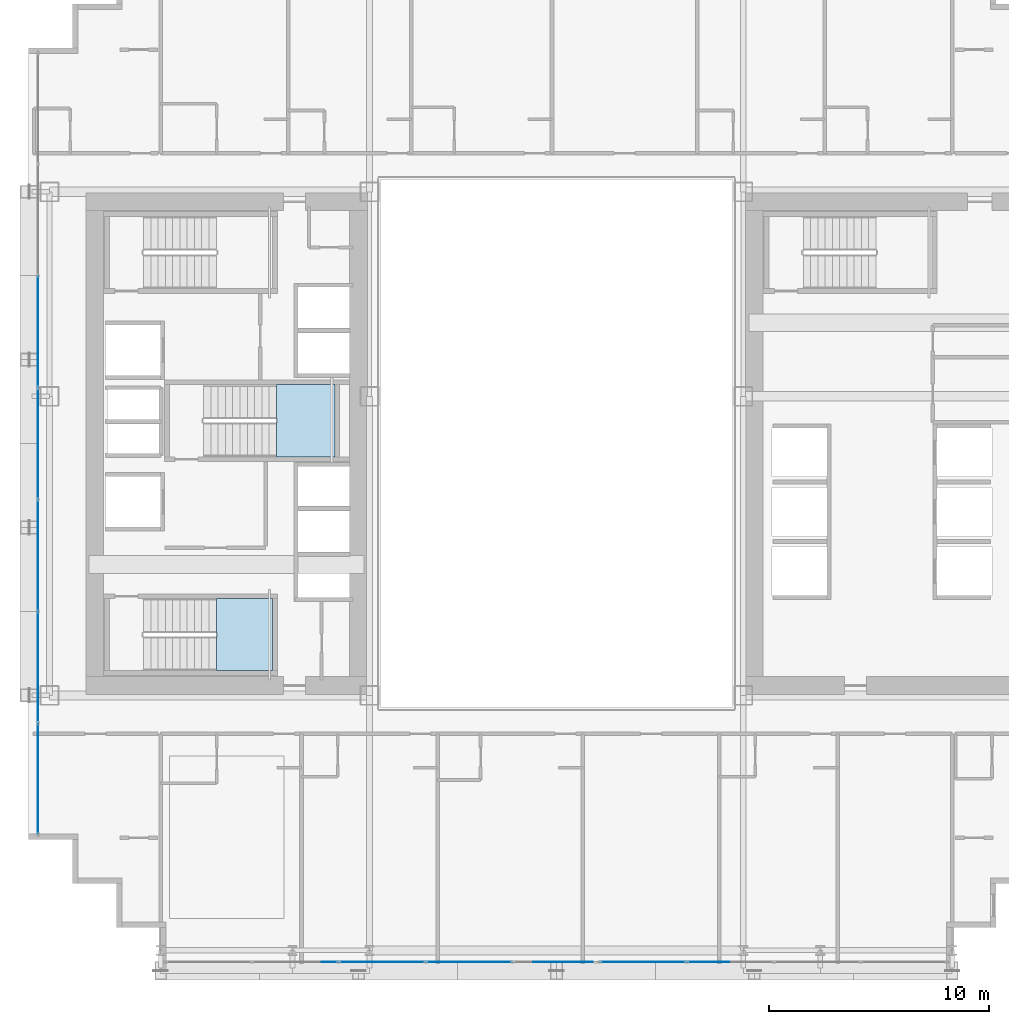
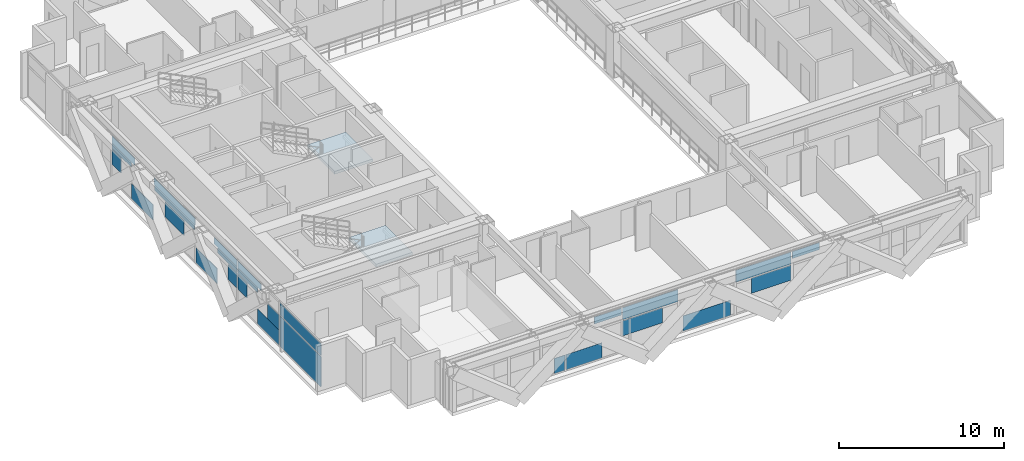
# One storey, part 24 of 38: 27 plates, 2 slabs, 4 elements without a shape of their own.
"""IFC4 building model written with IfcOpenShell, lengths in metres."""

from ifc_helpers import new_model, si_unit, direction, frame, origin, origin_2d, place, context, subcontext, project, spatial, polyline, rectangle, outline, extrude, source, transform, mapped, material, layer, layer_set, type_object, element, aggregate, save


model = new_model("IFC4")

# Units and contexts
model_context = context("Model", 3, precision=1e-05, world=origin(), true_north=direction((0.0, 1.0)))
body_context = subcontext(model_context, "Body", "Model", "MODEL_VIEW")
ifc_project = project(units=[si_unit("LENGTHUNIT", "METRE"), si_unit("AREAUNIT", "SQUARE_METRE"), si_unit("VOLUMEUNIT", "CUBIC_METRE"), si_unit("PLANEANGLEUNIT", "RADIAN"), si_unit("MASSUNIT", "GRAM", prefix="KILO")], contexts=[model_context])

# Site, building, storey
site_placement = place(None, origin())
site = spatial("IfcSite", under=ifc_project, at=site_placement, CompositionType="ELEMENT")
building_placement = place(site_placement, origin())
building = spatial("IfcBuilding", under=site, at=building_placement, Name="Ocotamira Hotel", CompositionType="ELEMENT")
storey_placement = place(building_placement, frame((0.0, 0.0, 45.60009765625)))
storey = spatial("IfcBuildingStorey", under=building, at=storey_placement, Name="L10", CompositionType="ELEMENT", Elevation=45.60009765625)

# Stair, slab
ifc_material_1 = material(Name="Concrete C40/50", Category="concrete")
stair_type = type_object("IfcStairType", Name="ST-CORE-1560", PredefinedType="HALF_TURN_STAIR", material=ifc_material_1)
stair_1_placement = place(storey_placement, origin())
stair_1 = element("IfcStair", 1, at=stair_1_placement, inside=storey, type_object=stair_type, Name="L10 Exit Stair ST-1", PredefinedType="HALF_TURN_STAIR")
ifc_layer_1 = layer(ifc_material_1, 0.199951171875)
ifc_layer_set_1 = layer_set([ifc_layer_1], Name="Concrete C40/50")
slab_type = type_object("IfcSlabType", Name="SLB-LAND-200", PredefinedType="LANDING", material=ifc_layer_set_1)
slab_1_placement = place(storey_placement, frame((0.0, 0.0, 1.599853515625)))
slab_1 = element("IfcSlab", 2, at=slab_1_placement, type_object=slab_type, Name="ST-1 landing 1", PredefinedType="LANDING", context=body_context, shape_type="SweptSolid", body=[
    extrude(outline(polyline([(16.530029296875, 15.669921875), (19.090087890625, 15.669921875), (19.090087890625, 18.949951171875), (16.530029296875, 18.949951171875), (16.530029296875, 15.669921875)])), origin(), (0.0, 0.0, 1.0), 0.199951171875),
])
aggregate(stair_1, [slab_1])

stair_2_placement = place(storey_placement, origin())
stair_2 = element("IfcStair", 3, at=stair_2_placement, inside=storey, type_object=stair_type, Name="L10 Exit Stair ST-3", PredefinedType="HALF_TURN_STAIR")
slab_2_placement = place(storey_placement, frame((0.0, 0.0, 1.599853515625)))
slab_2 = element("IfcSlab", 4, at=slab_2_placement, type_object=slab_type, Name="ST-3 landing 1", PredefinedType="LANDING", context=body_context, shape_type="SweptSolid", body=[
    extrude(outline(polyline([(19.260009765625, 25.39990234375), (21.919921875, 25.39990234375), (21.919921875, 28.679931640625), (19.260009765625, 28.679931640625), (19.260009765625, 25.39990234375)])), origin(), (0.0, 0.0, 1.0), 0.199951171875),
])
aggregate(stair_2, [slab_2])

# Curtain wall, plates
ifc_material_2 = material(Name="Anodised pale-metal aluminium and solar glass", Category="aluminium")
ifc_layer_2 = layer(ifc_material_2, 0.179931640625)
ifc_layer_set_2 = layer_set([ifc_layer_2], Name="Anodised pale-metal aluminium and solar glass")
curtain_wall_type = type_object("IfcCurtainWallType", Name="CW-SYS2-Z1", PredefinedType="NOTDEFINED", material=ifc_layer_set_2)
curtain_wall_1_placement = place(storey_placement, origin())
curtain_wall_1 = element("IfcCurtainWall", 5, at=curtain_wall_1_placement, inside=storey, type_object=curtain_wall_type, Name="L10 Curtain Wall CW-2 CW-L10-S1", PredefinedType="NOTDEFINED")
ifc_material_3 = material(Name="Double-silver low-E insulated solar glass", Category="glass")
ifc_layer_3 = layer(ifc_material_3, 0.031982421875)
ifc_layer_set_3 = layer_set([ifc_layer_3], Name="Double-silver low-E insulated solar glass")
plate_type = type_object("IfcPlateType", Name="CWP-VISION-32", PredefinedType="CURTAIN_PANEL", material=ifc_layer_set_3)
shared_shape_1 = source(origin(), body_context, "Body", "SweptSolid", [
    extrude(rectangle(XDim=3.87548828125, YDim=0.031982421875, at=origin_2d()), origin(), (0.0, 0.0, 1.0), 0.887451171875),
])
plate_1_placement = place(storey_placement, frame((28.04443359375, 2.419921875, 2.38720703125), z_axis=(0.0, 0.0, 1.0), x_axis=(1.0, 0.0, 0.0)))
plate_1 = element("IfcPlate", 6, at=plate_1_placement, type_object=plate_type, Name="CW-2 panel 4.2", PredefinedType="CURTAIN_PANEL", context=body_context, shape_type="MappedRepresentation", body=[
    mapped(shared_shape_1, transform((0.0, 0.0, 0.0), scale=1.0)),
])
plate_2_placement = place(storey_placement, frame((35.95556640625, 2.419921875, 2.38720703125), z_axis=(0.0, 0.0, 1.0), x_axis=(1.0, 0.0, 0.0)))
plate_2 = element("IfcPlate", 7, at=plate_2_placement, type_object=plate_type, Name="CW-2 panel 6.2", PredefinedType="CURTAIN_PANEL", context=body_context, shape_type="MappedRepresentation", body=[
    mapped(shared_shape_1, transform((0.0, 0.0, 0.0), scale=1.0)),
])

curtain_wall_2_placement = place(storey_placement, origin())
curtain_wall_2 = element("IfcCurtainWall", 8, at=curtain_wall_2_placement, inside=storey, type_object=curtain_wall_type, Name="L10 Curtain Wall CW-2 CW-L10-W", PredefinedType="NOTDEFINED")
shared_shape_2 = source(origin(), body_context, "Body", "SweptSolid", [
    extrude(rectangle(XDim=4.9658203125, YDim=0.031982421875, at=origin_2d()), origin(), (0.0, 0.0, 1.0), 2.237548828125),
])
plate_3_placement = place(storey_placement, frame((8.419921875, 10.762939453125, 0.07470703125), z_axis=(0.0, 0.0, 1.0), x_axis=(0.0, 1.0, 0.0)))
plate_3 = element("IfcPlate", 9, at=plate_3_placement, type_object=plate_type, Name="CW-2 panel 1.1", PredefinedType="CURTAIN_PANEL", context=body_context, shape_type="MappedRepresentation", body=[
    mapped(shared_shape_2, transform((0.0, 0.0, 0.0), scale=1.0)),
])
shared_shape_3 = source(origin(), body_context, "Body", "SweptSolid", [
    extrude(rectangle(XDim=4.9658203125, YDim=0.031982421875, at=origin_2d()), origin(), (0.0, 0.0, 1.0), 0.887451171875),
])
plate_4_placement = place(storey_placement, frame((8.419921875, 10.762939453125, 2.38720703125), z_axis=(0.0, 0.0, 1.0), x_axis=(0.0, 1.0, 0.0)))
plate_4 = element("IfcPlate", 10, at=plate_4_placement, type_object=plate_type, Name="CW-2 panel 1.2", PredefinedType="CURTAIN_PANEL", context=body_context, shape_type="MappedRepresentation", body=[
    mapped(shared_shape_3, transform((0.0, 0.0, 0.0), scale=1.0)),
])
shared_shape_4 = source(origin(), body_context, "Body", "SweptSolid", [
    extrude(rectangle(XDim=2.27978515625, YDim=0.031982421875, at=origin_2d()), origin(), (0.0, 0.0, 1.0), 1.11865234375),
])
plate_5_placement = place(storey_placement, frame((8.419921875, 26.0, 1.193603515625), z_axis=(0.0, 0.0, 1.0), x_axis=(0.0, 1.0, 0.0)))
plate_5 = element("IfcPlate", 11, at=plate_5_placement, type_object=plate_type, Name="CW-2 panel 4.1.1", PredefinedType="CURTAIN_PANEL", context=body_context, shape_type="MappedRepresentation", body=[
    mapped(shared_shape_4, transform((0.0, 0.0, 0.0), scale=1.0)),
])

# Plate
shared_shape_5 = source(origin(), body_context, "Body", "SweptSolid", [
    extrude(rectangle(XDim=1.88671875, YDim=0.031982421875, at=origin_2d()), origin(), (0.0, 0.0, 1.0), 0.5107421875),
])
plate_6_placement = place(storey_placement, frame((25.08349609375, 2.419921875, 2.76416015625), z_axis=(0.0, 0.0, 1.0), x_axis=(1.0, 0.0, 0.0)))
plate_6 = element("IfcPlate", 12, at=plate_6_placement, type_object=plate_type, Name="CW-2 panel 3.2.1", PredefinedType="CURTAIN_PANEL", context=body_context, shape_type="MappedRepresentation", body=[
    mapped(shared_shape_5, transform((0.0, 0.0, 0.0), scale=1.0)),
])

plate_7_placement = place(storey_placement, frame((38.91650390625, 2.419921875, 2.76416015625), z_axis=(0.0, 0.0, 1.0), x_axis=(1.0, 0.0, 0.0)))
plate_7 = element("IfcPlate", 13, at=plate_7_placement, type_object=plate_type, Name="CW-2 panel 7.2.1", PredefinedType="CURTAIN_PANEL", context=body_context, shape_type="MappedRepresentation", body=[
    mapped(shared_shape_5, transform((0.0, 0.0, 0.0), scale=1.0)),
])

shared_shape_6 = source(origin(), body_context, "Body", "SweptSolid", [
    extrude(rectangle(XDim=2.790283203125, YDim=0.031982421875, at=origin_2d()), origin(), (0.0, 0.0, 1.0), 1.11865234375),
])
plate_8_placement = place(storey_placement, frame((27.501708984375, 2.419921875, 1.193603515625), z_axis=(0.0, 0.0, 1.0), x_axis=(1.0, 0.0, 0.0)))
plate_8 = element("IfcPlate", 14, at=plate_8_placement, type_object=plate_type, Name="CW-2 panel 4.1.1", PredefinedType="CURTAIN_PANEL", context=body_context, shape_type="MappedRepresentation", body=[
    mapped(shared_shape_6, transform((0.0, 0.0, 0.0), scale=1.0)),
])

plate_9_placement = place(storey_placement, frame((36.498291015625, 2.419921875, 1.193603515625), z_axis=(0.0, 0.0, 1.0), x_axis=(1.0, 0.0, 0.0)))
plate_9 = element("IfcPlate", 15, at=plate_9_placement, type_object=plate_type, Name="CW-2 panel 6.1.1", PredefinedType="CURTAIN_PANEL", context=body_context, shape_type="MappedRepresentation", body=[
    mapped(shared_shape_6, transform((0.0, 0.0, 0.0), scale=1.0)),
])

shared_shape_7 = source(origin(), body_context, "Body", "SweptSolid", [
    extrude(rectangle(XDim=1.4033203125, YDim=0.031982421875, at=origin_2d()), origin(), (0.0, 0.0, 1.0), 1.11865234375),
])
plate_10_placement = place(storey_placement, frame((8.419921875, 14.02734375, 1.193603515625), z_axis=(0.0, 0.0, 1.0), x_axis=(0.0, 1.0, 0.0)))
plate_10 = element("IfcPlate", 16, at=plate_10_placement, type_object=plate_type, Name="CW-2 panel 2.1.2", PredefinedType="CURTAIN_PANEL", context=body_context, shape_type="MappedRepresentation", body=[
    mapped(shared_shape_7, transform((0.0, 0.0, 0.0), scale=1.0)),
])

shared_shape_8 = source(origin(), body_context, "Body", "SweptSolid", [
    extrude(rectangle(XDim=1.104736328125, YDim=0.031982421875, at=origin_2d()), origin(), (0.0, 0.0, 1.0), 1.11865234375),
])
plate_11_placement = place(storey_placement, frame((8.419921875, 17.779052734375, 1.193603515625), z_axis=(0.0, 0.0, 1.0), x_axis=(0.0, 1.0, 0.0)))
plate_11 = element("IfcPlate", 17, at=plate_11_placement, type_object=plate_type, Name="CW-2 panel 2.1.3", PredefinedType="CURTAIN_PANEL", context=body_context, shape_type="MappedRepresentation", body=[
    mapped(shared_shape_8, transform((0.0, 0.0, 0.0), scale=1.0)),
])

shared_shape_9 = source(origin(), body_context, "Body", "SweptSolid", [
    extrude(rectangle(XDim=2.796630859375, YDim=0.031982421875, at=origin_2d()), origin(), (0.0, 0.0, 1.0), 0.485107421875),
])
plate_12_placement = place(storey_placement, frame((8.419921875, 16.93310546875, 2.78955078125), z_axis=(0.0, 0.0, 1.0), x_axis=(0.0, 1.0, 0.0)))
plate_12 = element("IfcPlate", 18, at=plate_12_placement, type_object=plate_type, Name="CW-2 panel 2.2.1", PredefinedType="CURTAIN_PANEL", context=body_context, shape_type="MappedRepresentation", body=[
    mapped(shared_shape_9, transform((0.0, 0.0, 0.0), scale=1.0)),
])

shared_shape_10 = source(origin(), body_context, "Body", "SweptSolid", [
    extrude(rectangle(XDim=2.3701171875, YDim=0.031982421875, at=origin_2d()), origin(), (0.0, 0.0, 1.0), 0.367919921875),
])
plate_13_placement = place(storey_placement, frame((8.419921875, 17.146240234375, 2.38720703125), z_axis=(0.0, 0.0, 1.0), x_axis=(0.0, 1.0, 0.0)))
plate_13 = element("IfcPlate", 19, at=plate_13_placement, type_object=plate_type, Name="CW-2 panel 2.2.2", PredefinedType="CURTAIN_PANEL", context=body_context, shape_type="MappedRepresentation", body=[
    mapped(shared_shape_10, transform((0.0, 0.0, 0.0), scale=1.0)),
])

shared_shape_11 = source(origin(), body_context, "Body", "SweptSolid", [
    extrude(rectangle(XDim=1.094970703125, YDim=0.031982421875, at=origin_2d()), origin(), (0.0, 0.0, 1.0), 1.11865234375),
])
plate_14_placement = place(storey_placement, frame((8.419921875, 18.958984375, 1.193603515625), z_axis=(0.0, 0.0, 1.0), x_axis=(0.0, 1.0, 0.0)))
plate_14 = element("IfcPlate", 20, at=plate_14_placement, type_object=plate_type, Name="CW-2 panel 3.1.1", PredefinedType="CURTAIN_PANEL", context=body_context, shape_type="MappedRepresentation", body=[
    mapped(shared_shape_11, transform((0.0, 0.0, 0.0), scale=1.0)),
])

plate_15_placement = place(storey_placement, frame((8.419921875, 33.041015625, 1.193603515625), z_axis=(0.0, 0.0, 1.0), x_axis=(0.0, 1.0, 0.0)))
plate_15 = element("IfcPlate", 21, at=plate_15_placement, type_object=plate_type, Name="CW-2 panel 5.1.2", PredefinedType="CURTAIN_PANEL", context=body_context, shape_type="MappedRepresentation", body=[
    mapped(shared_shape_11, transform((0.0, 0.0, 0.0), scale=1.0)),
])

shared_shape_12 = source(origin(), body_context, "Body", "SweptSolid", [
    extrude(rectangle(XDim=2.360595703125, YDim=0.031982421875, at=origin_2d()), origin(), (0.0, 0.0, 1.0), 0.367919921875),
])
plate_16_placement = place(storey_placement, frame((8.419921875, 19.591796875, 2.38720703125), z_axis=(0.0, 0.0, 1.0), x_axis=(0.0, 1.0, 0.0)))
plate_16 = element("IfcPlate", 22, at=plate_16_placement, type_object=plate_type, Name="CW-2 panel 3.2.1", PredefinedType="CURTAIN_PANEL", context=body_context, shape_type="MappedRepresentation", body=[
    mapped(shared_shape_12, transform((0.0, 0.0, 0.0), scale=1.0)),
])

plate_17_placement = place(storey_placement, frame((8.419921875, 32.408203125, 2.38720703125), z_axis=(0.0, 0.0, 1.0), x_axis=(0.0, 1.0, 0.0)))
plate_17 = element("IfcPlate", 23, at=plate_17_placement, type_object=plate_type, Name="CW-2 panel 5.2.2", PredefinedType="CURTAIN_PANEL", context=body_context, shape_type="MappedRepresentation", body=[
    mapped(shared_shape_12, transform((0.0, 0.0, 0.0), scale=1.0)),
])

shared_shape_13 = source(origin(), body_context, "Body", "SweptSolid", [
    extrude(rectangle(XDim=2.787109375, YDim=0.031982421875, at=origin_2d()), origin(), (0.0, 0.0, 1.0), 0.485107421875),
])
plate_18_placement = place(storey_placement, frame((8.419921875, 19.804931640625, 2.78955078125), z_axis=(0.0, 0.0, 1.0), x_axis=(0.0, 1.0, 0.0)))
plate_18 = element("IfcPlate", 24, at=plate_18_placement, type_object=plate_type, Name="CW-2 panel 3.2.2", PredefinedType="CURTAIN_PANEL", context=body_context, shape_type="MappedRepresentation", body=[
    mapped(shared_shape_13, transform((0.0, 0.0, 0.0), scale=1.0)),
])

plate_19_placement = place(storey_placement, frame((8.419921875, 32.195068359375, 2.78955078125), z_axis=(0.0, 0.0, 1.0), x_axis=(0.0, 1.0, 0.0)))
plate_19 = element("IfcPlate", 25, at=plate_19_placement, type_object=plate_type, Name="CW-2 panel 5.2.1", PredefinedType="CURTAIN_PANEL", context=body_context, shape_type="MappedRepresentation", body=[
    mapped(shared_shape_13, transform((0.0, 0.0, 0.0), scale=1.0)),
])

shared_shape_14 = source(origin(), body_context, "Body", "SweptSolid", [
    extrude(rectangle(XDim=5.005615234375, YDim=0.031982421875, at=origin_2d()), origin(), (0.0, 0.0, 1.0), 0.485107421875),
])
plate_20_placement = place(storey_placement, frame((8.419921875, 26.0, 2.78955078125), z_axis=(0.0, 0.0, 1.0), x_axis=(0.0, 1.0, 0.0)))
plate_20 = element("IfcPlate", 26, at=plate_20_placement, type_object=plate_type, Name="CW-2 panel 4.2.1", PredefinedType="CURTAIN_PANEL", context=body_context, shape_type="MappedRepresentation", body=[
    mapped(shared_shape_14, transform((0.0, 0.0, 0.0), scale=1.0)),
])

shared_shape_15 = source(origin(), body_context, "Body", "SweptSolid", [
    extrude(rectangle(XDim=4.81103515625, YDim=0.031982421875, at=origin_2d()), origin(), (0.0, 0.0, 1.0), 0.40234375),
])
plate_21_placement = place(storey_placement, frame((8.419921875, 26.0, 2.387451171875), z_axis=(0.0, 0.0, 1.0), x_axis=(0.0, 1.0, 0.0)))
plate_21 = element("IfcPlate", 27, at=plate_21_placement, type_object=plate_type, Name="CW-2 panel 4.2.2", PredefinedType="CURTAIN_PANEL", context=body_context, shape_type="MappedRepresentation", body=[
    mapped(shared_shape_15, transform((0.0, 0.0, 0.0), scale=1.0)),
])

shared_shape_16 = source(origin(), body_context, "Body", "SweptSolid", [
    extrude(rectangle(XDim=0.733642578125, YDim=0.031982421875, at=origin_2d()), origin(), (0.0, 0.0, 1.0), 1.118896484375),
])
plate_22_placement = place(storey_placement, frame((21.704345703125, 2.419921875, 0.07470703125), z_axis=(0.0, 0.0, 1.0), x_axis=(1.0, 0.0, 0.0)))
plate_22 = element("IfcPlate", 28, at=plate_22_placement, type_object=plate_type, Name="CW-2 panel 2.1.2", PredefinedType="CURTAIN_PANEL", context=body_context, shape_type="MappedRepresentation", body=[
    mapped(shared_shape_16, transform((0.0, 0.0, 0.0), scale=1.0)),
])

shared_shape_17 = source(origin(), body_context, "Body", "SweptSolid", [
    extrude(rectangle(XDim=2.51123046875, YDim=0.031982421875, at=origin_2d()), origin(), (0.0, 0.0, 1.0), 1.118896484375),
])
plate_23_placement = place(storey_placement, frame((23.40673828125, 2.419921875, 0.07470703125), z_axis=(0.0, 0.0, 1.0), x_axis=(1.0, 0.0, 0.0)))
plate_23 = element("IfcPlate", 29, at=plate_23_placement, type_object=plate_type, Name="CW-2 panel 3.1.1", PredefinedType="CURTAIN_PANEL", context=body_context, shape_type="MappedRepresentation", body=[
    mapped(shared_shape_17, transform((0.0, 0.0, 0.0), scale=1.0)),
])

shared_shape_18 = source(origin(), body_context, "Body", "SweptSolid", [
    extrude(rectangle(XDim=3.324951171875, YDim=0.031982421875, at=origin_2d()), origin(), (0.0, 0.0, 1.0), 1.118896484375),
])
plate_24_placement = place(storey_placement, frame((32.0, 2.419921875, 0.07470703125), z_axis=(0.0, 0.0, 1.0), x_axis=(1.0, 0.0, 0.0)))
plate_24 = element("IfcPlate", 30, at=plate_24_placement, type_object=plate_type, Name="CW-2 panel 5.1.1", PredefinedType="CURTAIN_PANEL", context=body_context, shape_type="MappedRepresentation", body=[
    mapped(shared_shape_18, transform((0.0, 0.0, 0.0), scale=1.0)),
])

aggregate(curtain_wall_1, [plate_22, plate_23, plate_6, plate_8, plate_1, plate_24, plate_9, plate_2, plate_7])

shared_shape_19 = source(origin(), body_context, "Body", "SweptSolid", [
    extrude(rectangle(XDim=2.58935546875, YDim=0.031982421875, at=origin_2d()), origin(), (0.0, 0.0, 1.0), 1.118896484375),
])
plate_25_placement = place(storey_placement, frame((8.419921875, 14.620361328125, 0.07470703125), z_axis=(0.0, 0.0, 1.0), x_axis=(0.0, 1.0, 0.0)))
plate_25 = element("IfcPlate", 31, at=plate_25_placement, type_object=plate_type, Name="CW-2 panel 2.1.1", PredefinedType="CURTAIN_PANEL", context=body_context, shape_type="MappedRepresentation", body=[
    mapped(shared_shape_19, transform((0.0, 0.0, 0.0), scale=1.0)),
])

shared_shape_20 = source(origin(), body_context, "Body", "SweptSolid", [
    extrude(rectangle(XDim=2.59912109375, YDim=0.031982421875, at=origin_2d()), origin(), (0.0, 0.0, 1.0), 1.118896484375),
])
plate_26_placement = place(storey_placement, frame((8.419921875, 22.11767578125, 0.07470703125), z_axis=(0.0, 0.0, 1.0), x_axis=(0.0, 1.0, 0.0)))
plate_26 = element("IfcPlate", 32, at=plate_26_placement, type_object=plate_type, Name="CW-2 panel 3.1.2", PredefinedType="CURTAIN_PANEL", context=body_context, shape_type="MappedRepresentation", body=[
    mapped(shared_shape_20, transform((0.0, 0.0, 0.0), scale=1.0)),
])

plate_27_placement = place(storey_placement, frame((8.419921875, 29.88232421875, 0.07470703125), z_axis=(0.0, 0.0, 1.0), x_axis=(0.0, 1.0, 0.0)))
plate_27 = element("IfcPlate", 33, at=plate_27_placement, type_object=plate_type, Name="CW-2 panel 5.1.1", PredefinedType="CURTAIN_PANEL", context=body_context, shape_type="MappedRepresentation", body=[
    mapped(shared_shape_20, transform((0.0, 0.0, 0.0), scale=1.0)),
])

aggregate(curtain_wall_2, [plate_3, plate_4, plate_25, plate_10, plate_11, plate_12, plate_13, plate_14, plate_26, plate_16, plate_18, plate_5, plate_20, plate_21, plate_27, plate_15, plate_19, plate_17])

save(model, "model.ifc")
